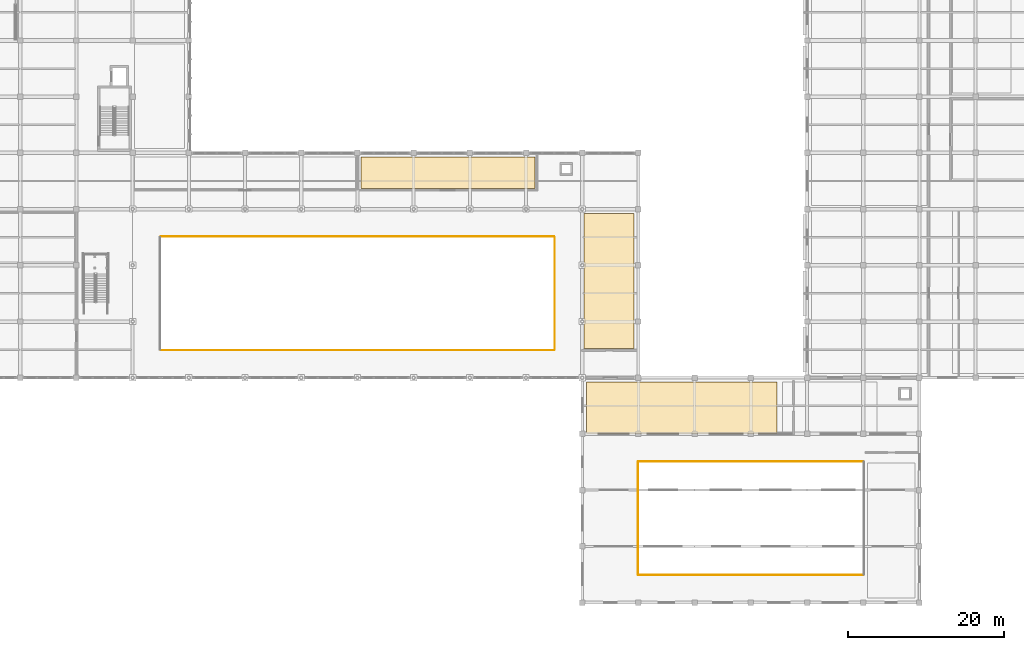
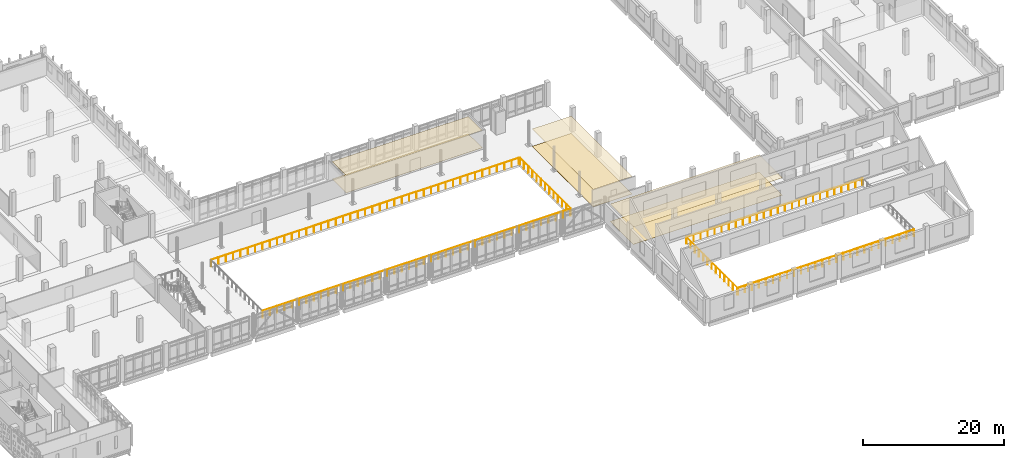
# One storey, part 56 of 62: 6 coverings, 6 railings.
"""IFC4 building model written with IfcOpenShell, lengths in metres."""

from ifc_helpers import new_model, si_unit, direction, frame, origin, origin_2d, place, context, subcontext, project, spatial, polyline, circle, outline, extrude, material, layer, layer_set, type_object, element, save


model = new_model("IFC4")

# Units and contexts
model_context = context("Model", 3, precision=1e-05, world=origin(), true_north=direction((0.0, 1.0)))
body_context = subcontext(model_context, "Body", "Model", "MODEL_VIEW")
ifc_project = project(units=[si_unit("LENGTHUNIT", "METRE"), si_unit("AREAUNIT", "SQUARE_METRE"), si_unit("VOLUMEUNIT", "CUBIC_METRE"), si_unit("PLANEANGLEUNIT", "RADIAN"), si_unit("MASSUNIT", "GRAM", prefix="KILO")], contexts=[model_context])

# Site, building, storey
site_placement = place(None, origin())
site = spatial("IfcSite", under=ifc_project, at=site_placement, CompositionType="ELEMENT")
building_placement = place(site_placement, origin())
building = spatial("IfcBuilding", under=site, at=building_placement, Name="Valkovuoma Quantum and Materials Research Institute", CompositionType="ELEMENT")
storey_placement = place(building_placement, frame((0.0, 0.0, 8.9599609375)))
storey = spatial("IfcBuildingStorey", under=building, at=storey_placement, Name="L02", CompositionType="ELEMENT", Elevation=8.9599609375)

# Coverings
ifc_material_1 = material(Name="Cleanable acoustic mineral-fibre suspended ceiling", Category="masonry")
ifc_layer_1 = layer(ifc_material_1, 0.02490234375)
ifc_layer_set_1 = layer_set([ifc_layer_1], Name="Cleanable acoustic mineral-fibre suspended ceiling")
covering_type_1 = type_object("IfcCoveringType", Name="Cov-CEIL-01", PredefinedType="CEILING", material=ifc_layer_set_1)
covering_1_placement = place(storey_placement, frame((0.0, 0.0, 3.0)))
element("IfcCovering", 1, at=covering_1_placement, inside=storey, type_object=covering_type_1, Name="L02 acoustic ceiling 0061", PredefinedType="CEILING", context=body_context, shape_type="SweptSolid", body=[
    extrude(outline(polyline([(101.35009765625, 28.85009765625), (125.75, 28.85009765625), (125.75, 35.449951171875), (101.35009765625, 35.449951171875), (101.35009765625, 28.85009765625)])), origin(), (0.0, 0.0, 1.0), 0.025146484375),
])
covering_2_placement = place(storey_placement, frame((0.0, 0.0, 3.0)))
element("IfcCovering", 2, at=covering_2_placement, inside=storey, type_object=covering_type_1, Name="L02 acoustic ceiling 0066", PredefinedType="CEILING", context=body_context, shape_type="SweptSolid", body=[
    extrude(outline(polyline([(72.449951171875, 60.25), (94.75, 60.25), (94.75, 64.25), (72.449951171875, 64.25), (72.449951171875, 60.25)])), origin(), (0.0, 0.0, 1.0), 0.025146484375),
])
covering_3_placement = place(storey_placement, frame((0.0, 0.0, 3.0)))
element("IfcCovering", 3, at=covering_3_placement, inside=storey, type_object=covering_type_1, Name="L02 acoustic ceiling 0067", PredefinedType="CEILING", context=body_context, shape_type="SweptSolid", body=[
    extrude(outline(polyline([(101.050048828125, 39.75), (107.449951171875, 39.75), (107.449951171875, 57.050048828125), (101.050048828125, 57.050048828125), (101.050048828125, 39.75)])), origin(), (0.0, 0.0, 1.0), 0.025146484375),
])
ifc_material_2 = material(Name="Seamless dissipative laboratory resin flooring", Category="masonry")
ifc_layer_2 = layer(ifc_material_2, 0.014892578125)
ifc_layer_set_2 = layer_set([ifc_layer_2], Name="Seamless dissipative laboratory resin flooring")
covering_type_2 = type_object("IfcCoveringType", Name="Cov-FLOR-01", PredefinedType="FLOORING", material=ifc_layer_set_2)
covering_4_placement = place(storey_placement, origin())
element("IfcCovering", 4, at=covering_4_placement, inside=storey, type_object=covering_type_2, Name="L02 resin flooring 0061", PredefinedType="FLOORING", context=body_context, shape_type="SweptSolid", body=[
    extrude(outline(polyline([(101.35009765625, 28.85009765625), (125.75, 28.85009765625), (125.75, 35.449951171875), (101.35009765625, 35.449951171875), (101.35009765625, 28.85009765625)])), origin(), (0.0, 0.0, 1.0), 0.01513671875),
])
covering_5_placement = place(storey_placement, origin())
element("IfcCovering", 5, at=covering_5_placement, inside=storey, type_object=covering_type_2, Name="L02 resin flooring 0066", PredefinedType="FLOORING", context=body_context, shape_type="SweptSolid", body=[
    extrude(outline(polyline([(72.449951171875, 60.25), (94.75, 60.25), (94.75, 64.25), (72.449951171875, 64.25), (72.449951171875, 60.25)])), origin(), (0.0, 0.0, 1.0), 0.01513671875),
])
covering_6_placement = place(storey_placement, origin())
element("IfcCovering", 6, at=covering_6_placement, inside=storey, type_object=covering_type_2, Name="L02 resin flooring 0067", PredefinedType="FLOORING", context=body_context, shape_type="SweptSolid", body=[
    extrude(outline(polyline([(101.050048828125, 39.75), (107.449951171875, 39.75), (107.449951171875, 57.050048828125), (101.050048828125, 57.050048828125), (101.050048828125, 39.75)])), origin(), (0.0, 0.0, 1.0), 0.01513671875),
])

# Railings
ifc_material_3 = material(Name="Hot-dip galvanised and powder-coated steel guardrail", Category="steel")
railing_type = type_object("IfcRailingType", Name="Rail-GRD-EXT", PredefinedType="BALUSTRADE", material=ifc_material_3)
railing_1_placement = place(storey_placement, frame((46.800048828125, 39.52001953125, 0.0)))
element("IfcRailing", 7, at=railing_1_placement, inside=storey, type_object=railing_type, Name="L02 atrium_void balustrade S", PredefinedType="BALUSTRADE", context=body_context, shape_type="SweptSolid", body=[
    extrude(circle(Radius=0.02392578125, at=origin_2d()), frame((0.0, 0.0, 1.17578125), z_axis=(1.0, 0.0, 0.0), x_axis=(0.0, 1.0, 0.0)), (0.0, 0.0, 1.0), 50.39990234375),
    extrude(circle(Radius=0.02099609375, at=origin_2d()), origin(), (0.0, 0.0, 1.0), 1.15185546875),
    extrude(circle(Radius=0.02099609375, at=origin_2d()), frame((1.199951171875, 0.0, 0.0)), (0.0, 0.0, 1.0), 1.15185546875),
    extrude(circle(Radius=0.02099609375, at=origin_2d()), frame((2.39990234375, 0.0, 0.0)), (0.0, 0.0, 1.0), 1.15185546875),
    extrude(circle(Radius=0.02099609375, at=origin_2d()), frame((3.60009765625, 0.0, 0.0)), (0.0, 0.0, 1.0), 1.15185546875),
    extrude(circle(Radius=0.02099609375, at=origin_2d()), frame((4.800048828125, 0.0, 0.0)), (0.0, 0.0, 1.0), 1.15185546875),
    extrude(circle(Radius=0.02099609375, at=origin_2d()), frame((6.0, 0.0, 0.0)), (0.0, 0.0, 1.0), 1.15185546875),
    extrude(circle(Radius=0.02099609375, at=origin_2d()), frame((7.199951171875, 0.0, 0.0)), (0.0, 0.0, 1.0), 1.15185546875),
    extrude(circle(Radius=0.02099609375, at=origin_2d()), frame((8.39990234375, 0.0, 0.0)), (0.0, 0.0, 1.0), 1.15185546875),
    extrude(circle(Radius=0.02099609375, at=origin_2d()), frame((9.60009765625, 0.0, 0.0)), (0.0, 0.0, 1.0), 1.15185546875),
    extrude(circle(Radius=0.02099609375, at=origin_2d()), frame((10.800048828125, 0.0, 0.0)), (0.0, 0.0, 1.0), 1.15185546875),
    extrude(circle(Radius=0.02099609375, at=origin_2d()), frame((12.0, 0.0, 0.0)), (0.0, 0.0, 1.0), 1.15185546875),
    extrude(circle(Radius=0.02099609375, at=origin_2d()), frame((13.199951171875, 0.0, 0.0)), (0.0, 0.0, 1.0), 1.15185546875),
    extrude(circle(Radius=0.02099609375, at=origin_2d()), frame((14.39990234375, 0.0, 0.0)), (0.0, 0.0, 1.0), 1.15185546875),
    extrude(circle(Radius=0.02099609375, at=origin_2d()), frame((15.599853515625, 0.0, 0.0)), (0.0, 0.0, 1.0), 1.15185546875),
    extrude(circle(Radius=0.02099609375, at=origin_2d()), frame((16.800048828125, 0.0, 0.0)), (0.0, 0.0, 1.0), 1.15185546875),
    extrude(circle(Radius=0.02099609375, at=origin_2d()), frame((18.0, 0.0, 0.0)), (0.0, 0.0, 1.0), 1.15185546875),
    extrude(circle(Radius=0.02099609375, at=origin_2d()), frame((19.199951171875, 0.0, 0.0)), (0.0, 0.0, 1.0), 1.15185546875),
    extrude(circle(Radius=0.02099609375, at=origin_2d()), frame((20.39990234375, 0.0, 0.0)), (0.0, 0.0, 1.0), 1.15185546875),
    extrude(circle(Radius=0.02099609375, at=origin_2d()), frame((21.599853515625, 0.0, 0.0)), (0.0, 0.0, 1.0), 1.15185546875),
    extrude(circle(Radius=0.02099609375, at=origin_2d()), frame((22.800048828125, 0.0, 0.0)), (0.0, 0.0, 1.0), 1.15185546875),
    extrude(circle(Radius=0.02099609375, at=origin_2d()), frame((24.0, 0.0, 0.0)), (0.0, 0.0, 1.0), 1.15185546875),
    extrude(circle(Radius=0.02099609375, at=origin_2d()), frame((25.199951171875, 0.0, 0.0)), (0.0, 0.0, 1.0), 1.15185546875),
    extrude(circle(Radius=0.02099609375, at=origin_2d()), frame((26.39990234375, 0.0, 0.0)), (0.0, 0.0, 1.0), 1.15185546875),
    extrude(circle(Radius=0.02099609375, at=origin_2d()), frame((27.599853515625, 0.0, 0.0)), (0.0, 0.0, 1.0), 1.15185546875),
    extrude(circle(Radius=0.02099609375, at=origin_2d()), frame((28.800048828125, 0.0, 0.0)), (0.0, 0.0, 1.0), 1.15185546875),
    extrude(circle(Radius=0.02099609375, at=origin_2d()), frame((30.0, 0.0, 0.0)), (0.0, 0.0, 1.0), 1.15185546875),
    extrude(circle(Radius=0.02099609375, at=origin_2d()), frame((31.199951171875, 0.0, 0.0)), (0.0, 0.0, 1.0), 1.15185546875),
    extrude(circle(Radius=0.02099609375, at=origin_2d()), frame((32.39990234375, 0.0, 0.0)), (0.0, 0.0, 1.0), 1.15185546875),
    extrude(circle(Radius=0.02099609375, at=origin_2d()), frame((33.599853515625, 0.0, 0.0)), (0.0, 0.0, 1.0), 1.15185546875),
    extrude(circle(Radius=0.02099609375, at=origin_2d()), frame((34.800048828125, 0.0, 0.0)), (0.0, 0.0, 1.0), 1.15185546875),
    extrude(circle(Radius=0.02099609375, at=origin_2d()), frame((36.0, 0.0, 0.0)), (0.0, 0.0, 1.0), 1.15185546875),
    extrude(circle(Radius=0.02099609375, at=origin_2d()), frame((37.199951171875, 0.0, 0.0)), (0.0, 0.0, 1.0), 1.15185546875),
    extrude(circle(Radius=0.02099609375, at=origin_2d()), frame((38.39990234375, 0.0, 0.0)), (0.0, 0.0, 1.0), 1.15185546875),
    extrude(circle(Radius=0.02099609375, at=origin_2d()), frame((39.599853515625, 0.0, 0.0)), (0.0, 0.0, 1.0), 1.15185546875),
    extrude(circle(Radius=0.02099609375, at=origin_2d()), frame((40.7998046875, 0.0, 0.0)), (0.0, 0.0, 1.0), 1.15185546875),
    extrude(circle(Radius=0.02099609375, at=origin_2d()), frame((42.0, 0.0, 0.0)), (0.0, 0.0, 1.0), 1.15185546875),
    extrude(circle(Radius=0.02099609375, at=origin_2d()), frame((43.199951171875, 0.0, 0.0)), (0.0, 0.0, 1.0), 1.15185546875),
    extrude(circle(Radius=0.02099609375, at=origin_2d()), frame((44.39990234375, 0.0, 0.0)), (0.0, 0.0, 1.0), 1.15185546875),
    extrude(circle(Radius=0.02099609375, at=origin_2d()), frame((45.599853515625, 0.0, 0.0)), (0.0, 0.0, 1.0), 1.15185546875),
    extrude(circle(Radius=0.02099609375, at=origin_2d()), frame((46.7998046875, 0.0, 0.0)), (0.0, 0.0, 1.0), 1.15185546875),
    extrude(circle(Radius=0.02099609375, at=origin_2d()), frame((48.0, 0.0, 0.0)), (0.0, 0.0, 1.0), 1.15185546875),
    extrude(circle(Radius=0.02099609375, at=origin_2d()), frame((49.199951171875, 0.0, 0.0)), (0.0, 0.0, 1.0), 1.15185546875),
    extrude(circle(Radius=0.02099609375, at=origin_2d()), frame((50.39990234375, 0.0, 0.0)), (0.0, 0.0, 1.0), 1.15185546875),
])
railing_2_placement = place(storey_placement, frame((46.800048828125, 54.080078125, 0.0)))
element("IfcRailing", 8, at=railing_2_placement, inside=storey, type_object=railing_type, Name="L02 atrium_void balustrade N", PredefinedType="BALUSTRADE", context=body_context, shape_type="SweptSolid", body=[
    extrude(circle(Radius=0.02392578125, at=origin_2d()), frame((0.0, 0.0, 1.17578125), z_axis=(1.0, 0.0, 0.0), x_axis=(0.0, 1.0, 0.0)), (0.0, 0.0, 1.0), 50.39990234375),
    extrude(circle(Radius=0.02099609375, at=origin_2d()), origin(), (0.0, 0.0, 1.0), 1.15185546875),
    extrude(circle(Radius=0.02099609375, at=origin_2d()), frame((1.199951171875, 0.0, 0.0)), (0.0, 0.0, 1.0), 1.15185546875),
    extrude(circle(Radius=0.02099609375, at=origin_2d()), frame((2.39990234375, 0.0, 0.0)), (0.0, 0.0, 1.0), 1.15185546875),
    extrude(circle(Radius=0.02099609375, at=origin_2d()), frame((3.60009765625, 0.0, 0.0)), (0.0, 0.0, 1.0), 1.15185546875),
    extrude(circle(Radius=0.02099609375, at=origin_2d()), frame((4.800048828125, 0.0, 0.0)), (0.0, 0.0, 1.0), 1.15185546875),
    extrude(circle(Radius=0.02099609375, at=origin_2d()), frame((6.0, 0.0, 0.0)), (0.0, 0.0, 1.0), 1.15185546875),
    extrude(circle(Radius=0.02099609375, at=origin_2d()), frame((7.199951171875, 0.0, 0.0)), (0.0, 0.0, 1.0), 1.15185546875),
    extrude(circle(Radius=0.02099609375, at=origin_2d()), frame((8.39990234375, 0.0, 0.0)), (0.0, 0.0, 1.0), 1.15185546875),
    extrude(circle(Radius=0.02099609375, at=origin_2d()), frame((9.60009765625, 0.0, 0.0)), (0.0, 0.0, 1.0), 1.15185546875),
    extrude(circle(Radius=0.02099609375, at=origin_2d()), frame((10.800048828125, 0.0, 0.0)), (0.0, 0.0, 1.0), 1.15185546875),
    extrude(circle(Radius=0.02099609375, at=origin_2d()), frame((12.0, 0.0, 0.0)), (0.0, 0.0, 1.0), 1.15185546875),
    extrude(circle(Radius=0.02099609375, at=origin_2d()), frame((13.199951171875, 0.0, 0.0)), (0.0, 0.0, 1.0), 1.15185546875),
    extrude(circle(Radius=0.02099609375, at=origin_2d()), frame((14.39990234375, 0.0, 0.0)), (0.0, 0.0, 1.0), 1.15185546875),
    extrude(circle(Radius=0.02099609375, at=origin_2d()), frame((15.599853515625, 0.0, 0.0)), (0.0, 0.0, 1.0), 1.15185546875),
    extrude(circle(Radius=0.02099609375, at=origin_2d()), frame((16.800048828125, 0.0, 0.0)), (0.0, 0.0, 1.0), 1.15185546875),
    extrude(circle(Radius=0.02099609375, at=origin_2d()), frame((18.0, 0.0, 0.0)), (0.0, 0.0, 1.0), 1.15185546875),
    extrude(circle(Radius=0.02099609375, at=origin_2d()), frame((19.199951171875, 0.0, 0.0)), (0.0, 0.0, 1.0), 1.15185546875),
    extrude(circle(Radius=0.02099609375, at=origin_2d()), frame((20.39990234375, 0.0, 0.0)), (0.0, 0.0, 1.0), 1.15185546875),
    extrude(circle(Radius=0.02099609375, at=origin_2d()), frame((21.599853515625, 0.0, 0.0)), (0.0, 0.0, 1.0), 1.15185546875),
    extrude(circle(Radius=0.02099609375, at=origin_2d()), frame((22.800048828125, 0.0, 0.0)), (0.0, 0.0, 1.0), 1.15185546875),
    extrude(circle(Radius=0.02099609375, at=origin_2d()), frame((24.0, 0.0, 0.0)), (0.0, 0.0, 1.0), 1.15185546875),
    extrude(circle(Radius=0.02099609375, at=origin_2d()), frame((25.199951171875, 0.0, 0.0)), (0.0, 0.0, 1.0), 1.15185546875),
    extrude(circle(Radius=0.02099609375, at=origin_2d()), frame((26.39990234375, 0.0, 0.0)), (0.0, 0.0, 1.0), 1.15185546875),
    extrude(circle(Radius=0.02099609375, at=origin_2d()), frame((27.599853515625, 0.0, 0.0)), (0.0, 0.0, 1.0), 1.15185546875),
    extrude(circle(Radius=0.02099609375, at=origin_2d()), frame((28.800048828125, 0.0, 0.0)), (0.0, 0.0, 1.0), 1.15185546875),
    extrude(circle(Radius=0.02099609375, at=origin_2d()), frame((30.0, 0.0, 0.0)), (0.0, 0.0, 1.0), 1.15185546875),
    extrude(circle(Radius=0.02099609375, at=origin_2d()), frame((31.199951171875, 0.0, 0.0)), (0.0, 0.0, 1.0), 1.15185546875),
    extrude(circle(Radius=0.02099609375, at=origin_2d()), frame((32.39990234375, 0.0, 0.0)), (0.0, 0.0, 1.0), 1.15185546875),
    extrude(circle(Radius=0.02099609375, at=origin_2d()), frame((33.599853515625, 0.0, 0.0)), (0.0, 0.0, 1.0), 1.15185546875),
    extrude(circle(Radius=0.02099609375, at=origin_2d()), frame((34.800048828125, 0.0, 0.0)), (0.0, 0.0, 1.0), 1.15185546875),
    extrude(circle(Radius=0.02099609375, at=origin_2d()), frame((36.0, 0.0, 0.0)), (0.0, 0.0, 1.0), 1.15185546875),
    extrude(circle(Radius=0.02099609375, at=origin_2d()), frame((37.199951171875, 0.0, 0.0)), (0.0, 0.0, 1.0), 1.15185546875),
    extrude(circle(Radius=0.02099609375, at=origin_2d()), frame((38.39990234375, 0.0, 0.0)), (0.0, 0.0, 1.0), 1.15185546875),
    extrude(circle(Radius=0.02099609375, at=origin_2d()), frame((39.599853515625, 0.0, 0.0)), (0.0, 0.0, 1.0), 1.15185546875),
    extrude(circle(Radius=0.02099609375, at=origin_2d()), frame((40.7998046875, 0.0, 0.0)), (0.0, 0.0, 1.0), 1.15185546875),
    extrude(circle(Radius=0.02099609375, at=origin_2d()), frame((42.0, 0.0, 0.0)), (0.0, 0.0, 1.0), 1.15185546875),
    extrude(circle(Radius=0.02099609375, at=origin_2d()), frame((43.199951171875, 0.0, 0.0)), (0.0, 0.0, 1.0), 1.15185546875),
    extrude(circle(Radius=0.02099609375, at=origin_2d()), frame((44.39990234375, 0.0, 0.0)), (0.0, 0.0, 1.0), 1.15185546875),
    extrude(circle(Radius=0.02099609375, at=origin_2d()), frame((45.599853515625, 0.0, 0.0)), (0.0, 0.0, 1.0), 1.15185546875),
    extrude(circle(Radius=0.02099609375, at=origin_2d()), frame((46.7998046875, 0.0, 0.0)), (0.0, 0.0, 1.0), 1.15185546875),
    extrude(circle(Radius=0.02099609375, at=origin_2d()), frame((48.0, 0.0, 0.0)), (0.0, 0.0, 1.0), 1.15185546875),
    extrude(circle(Radius=0.02099609375, at=origin_2d()), frame((49.199951171875, 0.0, 0.0)), (0.0, 0.0, 1.0), 1.15185546875),
    extrude(circle(Radius=0.02099609375, at=origin_2d()), frame((50.39990234375, 0.0, 0.0)), (0.0, 0.0, 1.0), 1.15185546875),
])
railing_3_placement = place(storey_placement, frame((97.280029296875, 39.60009765625, 0.0)))
element("IfcRailing", 9, at=railing_3_placement, inside=storey, type_object=railing_type, Name="L02 atrium_void balustrade E", PredefinedType="BALUSTRADE", context=body_context, shape_type="SweptSolid", body=[
    extrude(circle(Radius=0.02392578125, at=origin_2d()), frame((0.0, 0.0, 1.17578125), z_axis=(0.0, 1.0, 0.0), x_axis=(-1.0, 0.0, 0.0)), (0.0, 0.0, 1.0), 14.39990234375),
    extrude(circle(Radius=0.02099609375, at=origin_2d()), origin(), (0.0, 0.0, 1.0), 1.15185546875),
    extrude(circle(Radius=0.02099609375, at=origin_2d()), frame((0.0, 1.199951171875, 0.0)), (0.0, 0.0, 1.0), 1.15185546875),
    extrude(circle(Radius=0.02099609375, at=origin_2d()), frame((0.0, 2.39990234375, 0.0)), (0.0, 0.0, 1.0), 1.15185546875),
    extrude(circle(Radius=0.02099609375, at=origin_2d()), frame((0.0, 3.60009765625, 0.0)), (0.0, 0.0, 1.0), 1.15185546875),
    extrude(circle(Radius=0.02099609375, at=origin_2d()), frame((0.0, 4.800048828125, 0.0)), (0.0, 0.0, 1.0), 1.15185546875),
    extrude(circle(Radius=0.02099609375, at=origin_2d()), frame((0.0, 6.0, 0.0)), (0.0, 0.0, 1.0), 1.15185546875),
    extrude(circle(Radius=0.02099609375, at=origin_2d()), frame((0.0, 7.199951171875, 0.0)), (0.0, 0.0, 1.0), 1.15185546875),
    extrude(circle(Radius=0.02099609375, at=origin_2d()), frame((0.0, 8.39990234375, 0.0)), (0.0, 0.0, 1.0), 1.15185546875),
    extrude(circle(Radius=0.02099609375, at=origin_2d()), frame((0.0, 9.599853515625, 0.0)), (0.0, 0.0, 1.0), 1.15185546875),
    extrude(circle(Radius=0.02099609375, at=origin_2d()), frame((0.0, 10.7998046875, 0.0)), (0.0, 0.0, 1.0), 1.15185546875),
    extrude(circle(Radius=0.02099609375, at=origin_2d()), frame((0.0, 12.0, 0.0)), (0.0, 0.0, 1.0), 1.15185546875),
    extrude(circle(Radius=0.02099609375, at=origin_2d()), frame((0.0, 13.199951171875, 0.0)), (0.0, 0.0, 1.0), 1.15185546875),
    extrude(circle(Radius=0.02099609375, at=origin_2d()), frame((0.0, 14.39990234375, 0.0)), (0.0, 0.0, 1.0), 1.15185546875),
])
railing_4_placement = place(storey_placement, frame((108.0, 10.719970703125, 0.0)))
element("IfcRailing", 10, at=railing_4_placement, inside=storey, type_object=railing_type, Name="L02 lecture_void balustrade S", PredefinedType="BALUSTRADE", context=body_context, shape_type="SweptSolid", body=[
    extrude(circle(Radius=0.02392578125, at=origin_2d()), frame((0.0, 0.0, 1.17578125), z_axis=(1.0, 0.0, 0.0), x_axis=(0.0, 1.0, 0.0)), (0.0, 0.0, 1.0), 28.800048828125),
    extrude(circle(Radius=0.02099609375, at=origin_2d()), origin(), (0.0, 0.0, 1.0), 1.15185546875),
    extrude(circle(Radius=0.02099609375, at=origin_2d()), frame((1.152099609375, 0.0, 0.0)), (0.0, 0.0, 1.0), 1.15185546875),
    extrude(circle(Radius=0.02099609375, at=origin_2d()), frame((2.303955078125, 0.0, 0.0)), (0.0, 0.0, 1.0), 1.15185546875),
    extrude(circle(Radius=0.02099609375, at=origin_2d()), frame((3.4560546875, 0.0, 0.0)), (0.0, 0.0, 1.0), 1.15185546875),
    extrude(circle(Radius=0.02099609375, at=origin_2d()), frame((4.60791015625, 0.0, 0.0)), (0.0, 0.0, 1.0), 1.15185546875),
    extrude(circle(Radius=0.02099609375, at=origin_2d()), frame((5.760009765625, 0.0, 0.0)), (0.0, 0.0, 1.0), 1.15185546875),
    extrude(circle(Radius=0.02099609375, at=origin_2d()), frame((6.912109375, 0.0, 0.0)), (0.0, 0.0, 1.0), 1.15185546875),
    extrude(circle(Radius=0.02099609375, at=origin_2d()), frame((8.06396484375, 0.0, 0.0)), (0.0, 0.0, 1.0), 1.15185546875),
    extrude(circle(Radius=0.02099609375, at=origin_2d()), frame((9.216064453125, 0.0, 0.0)), (0.0, 0.0, 1.0), 1.15185546875),
    extrude(circle(Radius=0.02099609375, at=origin_2d()), frame((10.367919921875, 0.0, 0.0)), (0.0, 0.0, 1.0), 1.15185546875),
    extrude(circle(Radius=0.02099609375, at=origin_2d()), frame((11.52001953125, 0.0, 0.0)), (0.0, 0.0, 1.0), 1.15185546875),
    extrude(circle(Radius=0.02099609375, at=origin_2d()), frame((12.672119140625, 0.0, 0.0)), (0.0, 0.0, 1.0), 1.15185546875),
    extrude(circle(Radius=0.02099609375, at=origin_2d()), frame((13.823974609375, 0.0, 0.0)), (0.0, 0.0, 1.0), 1.15185546875),
    extrude(circle(Radius=0.02099609375, at=origin_2d()), frame((14.97607421875, 0.0, 0.0)), (0.0, 0.0, 1.0), 1.15185546875),
    extrude(circle(Radius=0.02099609375, at=origin_2d()), frame((16.1279296875, 0.0, 0.0)), (0.0, 0.0, 1.0), 1.15185546875),
    extrude(circle(Radius=0.02099609375, at=origin_2d()), frame((17.280029296875, 0.0, 0.0)), (0.0, 0.0, 1.0), 1.15185546875),
    extrude(circle(Radius=0.02099609375, at=origin_2d()), frame((18.43212890625, 0.0, 0.0)), (0.0, 0.0, 1.0), 1.15185546875),
    extrude(circle(Radius=0.02099609375, at=origin_2d()), frame((19.583984375, 0.0, 0.0)), (0.0, 0.0, 1.0), 1.15185546875),
    extrude(circle(Radius=0.02099609375, at=origin_2d()), frame((20.736083984375, 0.0, 0.0)), (0.0, 0.0, 1.0), 1.15185546875),
    extrude(circle(Radius=0.02099609375, at=origin_2d()), frame((21.887939453125, 0.0, 0.0)), (0.0, 0.0, 1.0), 1.15185546875),
    extrude(circle(Radius=0.02099609375, at=origin_2d()), frame((23.0400390625, 0.0, 0.0)), (0.0, 0.0, 1.0), 1.15185546875),
    extrude(circle(Radius=0.02099609375, at=origin_2d()), frame((24.192138671875, 0.0, 0.0)), (0.0, 0.0, 1.0), 1.15185546875),
    extrude(circle(Radius=0.02099609375, at=origin_2d()), frame((25.343994140625, 0.0, 0.0)), (0.0, 0.0, 1.0), 1.15185546875),
    extrude(circle(Radius=0.02099609375, at=origin_2d()), frame((26.49609375, 0.0, 0.0)), (0.0, 0.0, 1.0), 1.15185546875),
    extrude(circle(Radius=0.02099609375, at=origin_2d()), frame((27.64794921875, 0.0, 0.0)), (0.0, 0.0, 1.0), 1.15185546875),
    extrude(circle(Radius=0.02099609375, at=origin_2d()), frame((28.800048828125, 0.0, 0.0)), (0.0, 0.0, 1.0), 1.15185546875),
])
railing_5_placement = place(storey_placement, frame((108.0, 25.280029296875, 0.0)))
element("IfcRailing", 11, at=railing_5_placement, inside=storey, type_object=railing_type, Name="L02 lecture_void balustrade N", PredefinedType="BALUSTRADE", context=body_context, shape_type="SweptSolid", body=[
    extrude(circle(Radius=0.02392578125, at=origin_2d()), frame((0.0, 0.0, 1.17578125), z_axis=(1.0, 0.0, 0.0), x_axis=(0.0, 1.0, 0.0)), (0.0, 0.0, 1.0), 28.800048828125),
    extrude(circle(Radius=0.02099609375, at=origin_2d()), origin(), (0.0, 0.0, 1.0), 1.15185546875),
    extrude(circle(Radius=0.02099609375, at=origin_2d()), frame((1.152099609375, 0.0, 0.0)), (0.0, 0.0, 1.0), 1.15185546875),
    extrude(circle(Radius=0.02099609375, at=origin_2d()), frame((2.303955078125, 0.0, 0.0)), (0.0, 0.0, 1.0), 1.15185546875),
    extrude(circle(Radius=0.02099609375, at=origin_2d()), frame((3.4560546875, 0.0, 0.0)), (0.0, 0.0, 1.0), 1.15185546875),
    extrude(circle(Radius=0.02099609375, at=origin_2d()), frame((4.60791015625, 0.0, 0.0)), (0.0, 0.0, 1.0), 1.15185546875),
    extrude(circle(Radius=0.02099609375, at=origin_2d()), frame((5.760009765625, 0.0, 0.0)), (0.0, 0.0, 1.0), 1.15185546875),
    extrude(circle(Radius=0.02099609375, at=origin_2d()), frame((6.912109375, 0.0, 0.0)), (0.0, 0.0, 1.0), 1.15185546875),
    extrude(circle(Radius=0.02099609375, at=origin_2d()), frame((8.06396484375, 0.0, 0.0)), (0.0, 0.0, 1.0), 1.15185546875),
    extrude(circle(Radius=0.02099609375, at=origin_2d()), frame((9.216064453125, 0.0, 0.0)), (0.0, 0.0, 1.0), 1.15185546875),
    extrude(circle(Radius=0.02099609375, at=origin_2d()), frame((10.367919921875, 0.0, 0.0)), (0.0, 0.0, 1.0), 1.15185546875),
    extrude(circle(Radius=0.02099609375, at=origin_2d()), frame((11.52001953125, 0.0, 0.0)), (0.0, 0.0, 1.0), 1.15185546875),
    extrude(circle(Radius=0.02099609375, at=origin_2d()), frame((12.672119140625, 0.0, 0.0)), (0.0, 0.0, 1.0), 1.15185546875),
    extrude(circle(Radius=0.02099609375, at=origin_2d()), frame((13.823974609375, 0.0, 0.0)), (0.0, 0.0, 1.0), 1.15185546875),
    extrude(circle(Radius=0.02099609375, at=origin_2d()), frame((14.97607421875, 0.0, 0.0)), (0.0, 0.0, 1.0), 1.15185546875),
    extrude(circle(Radius=0.02099609375, at=origin_2d()), frame((16.1279296875, 0.0, 0.0)), (0.0, 0.0, 1.0), 1.15185546875),
    extrude(circle(Radius=0.02099609375, at=origin_2d()), frame((17.280029296875, 0.0, 0.0)), (0.0, 0.0, 1.0), 1.15185546875),
    extrude(circle(Radius=0.02099609375, at=origin_2d()), frame((18.43212890625, 0.0, 0.0)), (0.0, 0.0, 1.0), 1.15185546875),
    extrude(circle(Radius=0.02099609375, at=origin_2d()), frame((19.583984375, 0.0, 0.0)), (0.0, 0.0, 1.0), 1.15185546875),
    extrude(circle(Radius=0.02099609375, at=origin_2d()), frame((20.736083984375, 0.0, 0.0)), (0.0, 0.0, 1.0), 1.15185546875),
    extrude(circle(Radius=0.02099609375, at=origin_2d()), frame((21.887939453125, 0.0, 0.0)), (0.0, 0.0, 1.0), 1.15185546875),
    extrude(circle(Radius=0.02099609375, at=origin_2d()), frame((23.0400390625, 0.0, 0.0)), (0.0, 0.0, 1.0), 1.15185546875),
    extrude(circle(Radius=0.02099609375, at=origin_2d()), frame((24.192138671875, 0.0, 0.0)), (0.0, 0.0, 1.0), 1.15185546875),
    extrude(circle(Radius=0.02099609375, at=origin_2d()), frame((25.343994140625, 0.0, 0.0)), (0.0, 0.0, 1.0), 1.15185546875),
    extrude(circle(Radius=0.02099609375, at=origin_2d()), frame((26.49609375, 0.0, 0.0)), (0.0, 0.0, 1.0), 1.15185546875),
    extrude(circle(Radius=0.02099609375, at=origin_2d()), frame((27.64794921875, 0.0, 0.0)), (0.0, 0.0, 1.0), 1.15185546875),
    extrude(circle(Radius=0.02099609375, at=origin_2d()), frame((28.800048828125, 0.0, 0.0)), (0.0, 0.0, 1.0), 1.15185546875),
])
railing_6_placement = place(storey_placement, frame((107.919921875, 10.800048828125, 0.0)))
element("IfcRailing", 12, at=railing_6_placement, inside=storey, type_object=railing_type, Name="L02 lecture_void balustrade W", PredefinedType="BALUSTRADE", context=body_context, shape_type="SweptSolid", body=[
    extrude(circle(Radius=0.02392578125, at=origin_2d()), frame((0.0, 0.0, 1.17578125), z_axis=(0.0, 1.0, 0.0), x_axis=(-1.0, 0.0, 0.0)), (0.0, 0.0, 1.0), 14.39990234375),
    extrude(circle(Radius=0.02099609375, at=origin_2d()), origin(), (0.0, 0.0, 1.0), 1.15185546875),
    extrude(circle(Radius=0.02099609375, at=origin_2d()), frame((0.0, 1.199951171875, 0.0)), (0.0, 0.0, 1.0), 1.15185546875),
    extrude(circle(Radius=0.02099609375, at=origin_2d()), frame((0.0, 2.39990234375, 0.0)), (0.0, 0.0, 1.0), 1.15185546875),
    extrude(circle(Radius=0.02099609375, at=origin_2d()), frame((0.0, 3.60009765625, 0.0)), (0.0, 0.0, 1.0), 1.15185546875),
    extrude(circle(Radius=0.02099609375, at=origin_2d()), frame((0.0, 4.800048828125, 0.0)), (0.0, 0.0, 1.0), 1.15185546875),
    extrude(circle(Radius=0.02099609375, at=origin_2d()), frame((0.0, 6.0, 0.0)), (0.0, 0.0, 1.0), 1.15185546875),
    extrude(circle(Radius=0.02099609375, at=origin_2d()), frame((0.0, 7.199951171875, 0.0)), (0.0, 0.0, 1.0), 1.15185546875),
    extrude(circle(Radius=0.02099609375, at=origin_2d()), frame((0.0, 8.39990234375, 0.0)), (0.0, 0.0, 1.0), 1.15185546875),
    extrude(circle(Radius=0.02099609375, at=origin_2d()), frame((0.0, 9.599853515625, 0.0)), (0.0, 0.0, 1.0), 1.15185546875),
    extrude(circle(Radius=0.02099609375, at=origin_2d()), frame((0.0, 10.7998046875, 0.0)), (0.0, 0.0, 1.0), 1.15185546875),
    extrude(circle(Radius=0.02099609375, at=origin_2d()), frame((0.0, 12.0, 0.0)), (0.0, 0.0, 1.0), 1.15185546875),
    extrude(circle(Radius=0.02099609375, at=origin_2d()), frame((0.0, 13.199951171875, 0.0)), (0.0, 0.0, 1.0), 1.15185546875),
    extrude(circle(Radius=0.02099609375, at=origin_2d()), frame((0.0, 14.39990234375, 0.0)), (0.0, 0.0, 1.0), 1.15185546875),
])

save(model, "model.ifc")
